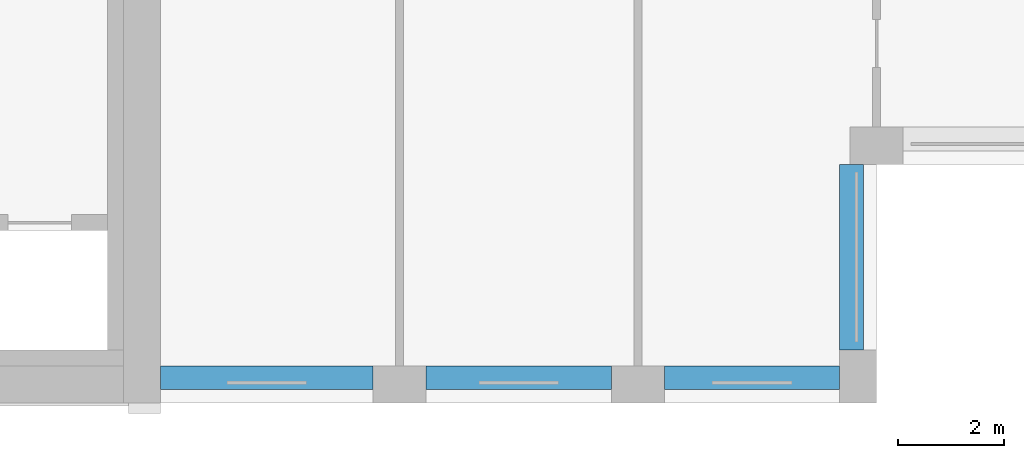
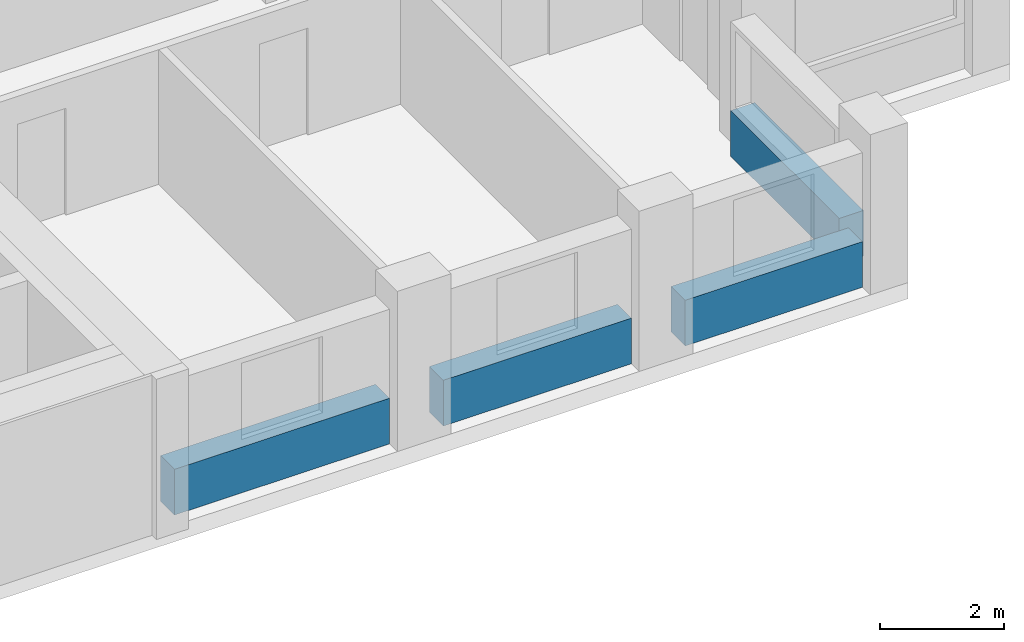
# One storey, part 3 of 16: 4 beams.
"""IFC4 building model written with IfcOpenShell, lengths in metres."""

import ifcopenshell
import ifcopenshell.guid

model = None  # the IFC model being written
_history = None  # IfcOwnerHistory: only IFC2X3 demands one
_inside = {}  # id of a spatial element -> (the spatial element, [elements in it])
_under = {}  # id of a project, library or spatial element -> (it, [spatial elements below it])
_declared = {}  # id of a project -> (the project, [libraries it declares])
_typed = {}  # id of a type object -> (the type object, [elements of that type])
_made_of = {}  # id of a material, layer set ... -> (it, [elements and type objects made of it])


def new_model(schema):
    """Start an empty IFC model of exactly this schema.

    Asked for "IFC4X3", IfcOpenShell would pick the latest addendum, in which some entities
    have other attributes; the version numbers below select the first issue.
    IFC2X3 requires an IfcOwnerHistory on every rooted entity: one is made here for all.
    """
    global model, _history
    if schema == "IFC4X3":
        model = ifcopenshell.file(schema_version=(4, 3, 0, 0))
    else:
        model = ifcopenshell.file(schema=schema)
    _inside.clear()
    _under.clear()
    _declared.clear()
    _typed.clear()
    _made_of.clear()
    _history = None
    if model.schema == "IFC2X3":
        org = make("IfcOrganization", Name="unknown")
        user = make(
            "IfcPersonAndOrganization",
            ThePerson=make("IfcPerson", FamilyName="unknown"),
            TheOrganization=org,
        )
        app = make(
            "IfcApplication",
            ApplicationDeveloper=org,
            Version="unknown",
            ApplicationFullName="unknown",
            ApplicationIdentifier="unknown",
        )
        _history = make(
            "IfcOwnerHistory",
            OwningUser=user,
            OwningApplication=app,
            ChangeAction="ADDED",
            CreationDate=0,
        )
    return model


def make(cls, **values):
    """One entity of the class cls with the attributes given. An attribute that is None is left unset."""
    return model.create_entity(
        cls, **{name: value for name, value in values.items() if value is not None}
    )


def rooted(cls, **values):
    """An entity with a GlobalId (a new one), such as an element, a storey or a relation."""
    return make(cls, GlobalId=ifcopenshell.guid.new(), OwnerHistory=_history, **values)


def si_unit(unit_type, name, prefix=None):
    """IfcSIUnit, for example si_unit("LENGTHUNIT", "METRE", prefix="MILLI")."""
    return make("IfcSIUnit", UnitType=unit_type, Prefix=prefix, Name=name)


def assignment(units):
    """IfcUnitAssignment: the units of a project."""
    return None if units is None else make("IfcUnitAssignment", Units=units)


def point(xyz):
    """IfcCartesianPoint."""
    return None if xyz is None else make("IfcCartesianPoint", Coordinates=xyz)


def direction(xyz):
    """IfcDirection."""
    return None if xyz is None else make("IfcDirection", DirectionRatios=xyz)


def frame(location, z_axis=None, x_axis=None):
    """IfcAxis2Placement3D, a coordinate frame: its origin and axes. An axis left out is left unset."""
    return make(
        "IfcAxis2Placement3D",
        Location=point(location),
        Axis=direction(z_axis),
        RefDirection=direction(x_axis),
    )


def frame_2d(location, x_axis=None):
    """IfcAxis2Placement2D, a coordinate frame in the plane: its origin and x axis."""
    return make(
        "IfcAxis2Placement2D", Location=point(location), RefDirection=direction(x_axis)
    )


def origin():
    """The frame at (0, 0, 0) with its axes left unset."""
    return frame((0.0, 0.0, 0.0))


def origin_2d():
    """The frame at (0, 0) in the plane with its x axis left unset."""
    return frame_2d((0.0, 0.0))


def place(relative_to, where):
    """IfcLocalPlacement: puts the frame where relative to a parent placement (None: the world)."""
    return make(
        "IfcLocalPlacement", PlacementRelTo=relative_to, RelativePlacement=where
    )


def context(
    kind, dimensions, precision=None, world=None, true_north=None, identifier=None
):
    """IfcGeometricRepresentationContext, for example the 3D "Model" context."""
    return make(
        "IfcGeometricRepresentationContext",
        ContextIdentifier=identifier,
        ContextType=kind,
        CoordinateSpaceDimension=dimensions,
        Precision=precision,
        WorldCoordinateSystem=world,
        TrueNorth=true_north,
    )


def subcontext(parent, identifier, kind, view, scale=None):
    """IfcGeometricRepresentationSubContext, for example "Body" below "Model"."""
    return make(
        "IfcGeometricRepresentationSubContext",
        ContextIdentifier=identifier,
        ContextType=kind,
        ParentContext=parent,
        TargetScale=scale,
        TargetView=view,
    )


def project(units=None, contexts=None):
    """IfcProject with its units and contexts."""
    return rooted(
        "IfcProject",
        Name="project",
        RepresentationContexts=contexts,
        UnitsInContext=assignment(units),
    )


def spatial(cls, under=None, at=None, **own):
    """A site, building, storey or space (cls), placed at a placement, below another one or the project."""
    s = rooted(cls, ObjectPlacement=at, **own)
    if under is not None:
        _under.setdefault(under.id(), (under, []))[1].append(s)
    return s


def profile(cls, at=None, kind="AREA", **sizes):
    """A parametric profile (cls). Its sizes go by their IFC names, for example OverallWidth=200.0."""
    return make(cls, ProfileType=kind, Position=at, **sizes)


def rectangle(**sizes):
    """IfcRectangleProfileDef."""
    return profile("IfcRectangleProfileDef", **sizes)


def extrude(swept, where, along, depth):
    """IfcExtrudedAreaSolid: the profile swept, set in the frame where, extruded along a direction by depth."""
    return make(
        "IfcExtrudedAreaSolid",
        SweptArea=swept,
        Position=where,
        ExtrudedDirection=direction(along),
        Depth=depth,
    )


def shape(context_of_items, identifier, shape_type, items):
    """IfcShapeRepresentation: the items that make up one representation, for example the "Body"."""
    return make(
        "IfcShapeRepresentation",
        ContextOfItems=context_of_items,
        RepresentationIdentifier=identifier,
        RepresentationType=shape_type,
        Items=items,
    )


def material(Name=None, Category=None):
    """IfcMaterial."""
    return make("IfcMaterial", Name=Name, Category=Category)


def material_profile(
    of_material, cross_section, Name=None, Category=None, Priority=None
):
    """IfcMaterialProfile: a cross section and its material."""
    return make(
        "IfcMaterialProfile",
        Name=Name,
        Material=of_material,
        Profile=cross_section,
        Priority=Priority,
        Category=Category,
    )


def profile_set(profiles, Name=None, composite=None):
    """IfcMaterialProfileSet."""
    return make(
        "IfcMaterialProfileSet",
        Name=Name,
        MaterialProfiles=profiles,
        CompositeProfile=composite,
    )


def made_of(thing, what):
    """Note that an element or type object is made of a material, layer set ...; save() writes the relation."""
    if what is not None:
        _made_of.setdefault(what.id(), (what, []))[1].append(thing)
    return thing


def type_object(cls, material=None, **own):
    """A type object (cls), such as IfcWallType, which elements share."""
    return made_of(rooted(cls, **own), material)


def element(
    cls,
    number,
    at=None,
    inside=None,
    cuts=None,
    type_object=None,
    material=None,
    context=None,
    identifier="Body",
    shape_type=None,
    held_by="IfcProductDefinitionShape",
    body=None,
    shapes=None,
    **own,
):
    """One element of the class cls, such as IfcWall. Its Tag is "e" and its number.

    at: its placement. inside: the storey or other place that contains it. cuts: it is an
    opening in that element (IfcRelVoidsElement). A single representation is given by context,
    identifier, shape_type and body (its items); several are given by shapes. held_by: the class
    of the entity that holds the representations. save() writes the other relations.
    """
    e = rooted(cls, Tag="e%d" % number, ObjectPlacement=at, **own)
    if body is not None:
        shapes = [shape(context, identifier, shape_type, body)]
    if shapes is not None:
        e.Representation = make(held_by, Representations=shapes)
    if inside is not None:
        _inside.setdefault(inside.id(), (inside, []))[1].append(e)
    if cuts is not None:
        rooted(
            "IfcRelVoidsElement", RelatingBuildingElement=cuts, RelatedOpeningElement=e
        )
    if type_object is not None:
        _typed.setdefault(type_object.id(), (type_object, []))[1].append(e)
    return made_of(e, material)


def aggregate(whole, parts):
    """IfcRelAggregates: a whole, such as a stair, and the parts it consists of."""
    return rooted("IfcRelAggregates", RelatingObject=whole, RelatedObjects=parts)


def save(model, path):
    """Write the relations noted so far, then the file.

    IfcRelAggregates (storeys below a building ...), IfcRelContainedInSpatialStructure (elements
    in a storey), IfcRelDefinesByType, IfcRelAssociatesMaterial and IfcRelDeclares: one each for
    every whole, place, type object, material and project.
    """
    for whole, parts in _under.values():
        aggregate(whole, parts)
    for where, things in _inside.values():
        rooted(
            "IfcRelContainedInSpatialStructure",
            RelatedElements=things,
            RelatingStructure=where,
        )
    for kind, things in _typed.values():
        rooted("IfcRelDefinesByType", RelatedObjects=things, RelatingType=kind)
    for what, things in _made_of.values():
        rooted("IfcRelAssociatesMaterial", RelatedObjects=things, RelatingMaterial=what)
    for by, libraries in _declared.values():
        rooted("IfcRelDeclares", RelatingContext=by, RelatedDefinitions=libraries)
    model.write(path)


model = new_model("IFC4")

# Units and contexts
model_context = context("Model", 3, precision=1e-05, world=origin(), true_north=direction((0.0, 1.0)))
body_context = subcontext(model_context, "Body", "Model", "MODEL_VIEW")
ifc_project = project(units=[si_unit("LENGTHUNIT", "METRE"), si_unit("AREAUNIT", "SQUARE_METRE"), si_unit("VOLUMEUNIT", "CUBIC_METRE"), si_unit("PLANEANGLEUNIT", "RADIAN"), si_unit("MASSUNIT", "GRAM", prefix="KILO")], contexts=[model_context])

# Site, building, storey
site_placement = place(None, origin())
site = spatial("IfcSite", under=ifc_project, at=site_placement, CompositionType="ELEMENT")
building_placement = place(site_placement, origin())
building = spatial("IfcBuilding", under=site, at=building_placement, Name="Brigalow Station Residences", CompositionType="ELEMENT")
storey_placement = place(building_placement, frame((0.0, 0.0, 182.25)))
storey = spatial("IfcBuildingStorey", under=building, at=storey_placement, Name="L53", CompositionType="ELEMENT", Elevation=182.25)

# Beams
ifc_material = material(Name="Concrete C50", Category="concrete")
ifc_material_profile = material_profile(ifc_material, rectangle(XDim=0.449951171875, YDim=0.89990234375, at=origin_2d()), Name="RC450x900")
ifc_profile_set = profile_set([ifc_material_profile], Name="Concrete C50")
beam_type = type_object("IfcBeamType", Name="SPANDREL BEAM 450x900 C50", PredefinedType="SPANDREL", material=ifc_profile_set)
beam_1_placement = place(storey_placement, frame((54.0, 0.47509765625, 0.449951171875), z_axis=(1.0, 0.0, 0.0), x_axis=(0.0, 1.0, 0.0)))
element("IfcBeam", 1, at=beam_1_placement, inside=storey, type_object=beam_type, Name="L53/spandrel/W-L53-4", PredefinedType="SPANDREL", context=body_context, shape_type="SweptSolid", body=[
    extrude(rectangle(XDim=0.449951171875, YDim=0.89990234375, at=origin_2d()), origin(), (0.0, 0.0, 1.0), 4.0),
])
beam_2_placement = place(storey_placement, frame((59.0, 0.47509765625, 0.449951171875), z_axis=(1.0, 0.0, 0.0), x_axis=(0.0, 1.0, 0.0)))
element("IfcBeam", 2, at=beam_2_placement, inside=storey, type_object=beam_type, Name="L53/spandrel/W-L53-5", PredefinedType="SPANDREL", context=body_context, shape_type="SweptSolid", body=[
    extrude(rectangle(XDim=0.449951171875, YDim=0.89990234375, at=origin_2d()), origin(), (0.0, 0.0, 1.0), 3.5),
])
beam_3_placement = place(storey_placement, frame((63.5, 0.47509765625, 0.449951171875), z_axis=(1.0, 0.0, 0.0), x_axis=(0.0, 1.0, 0.0)))
element("IfcBeam", 3, at=beam_3_placement, inside=storey, type_object=beam_type, Name="L53/spandrel/W-L53-6", PredefinedType="SPANDREL", context=body_context, shape_type="SweptSolid", body=[
    extrude(rectangle(XDim=0.449951171875, YDim=0.89990234375, at=origin_2d()), origin(), (0.0, 0.0, 1.0), 3.300048828125),
])
beam_4_placement = place(storey_placement, frame((67.02490234375, 1.0, 0.449951171875), z_axis=(0.0, 1.0, 0.0), x_axis=(-1.0, 0.0, 0.0)))
element("IfcBeam", 4, at=beam_4_placement, inside=storey, type_object=beam_type, Name="L53/spandrel/W-L53-7", PredefinedType="SPANDREL", context=body_context, shape_type="SweptSolid", body=[
    extrude(rectangle(XDim=0.449951171875, YDim=0.89990234375, at=origin_2d()), origin(), (0.0, 0.0, 1.0), 3.5),
])

save(model, "model.ifc")
